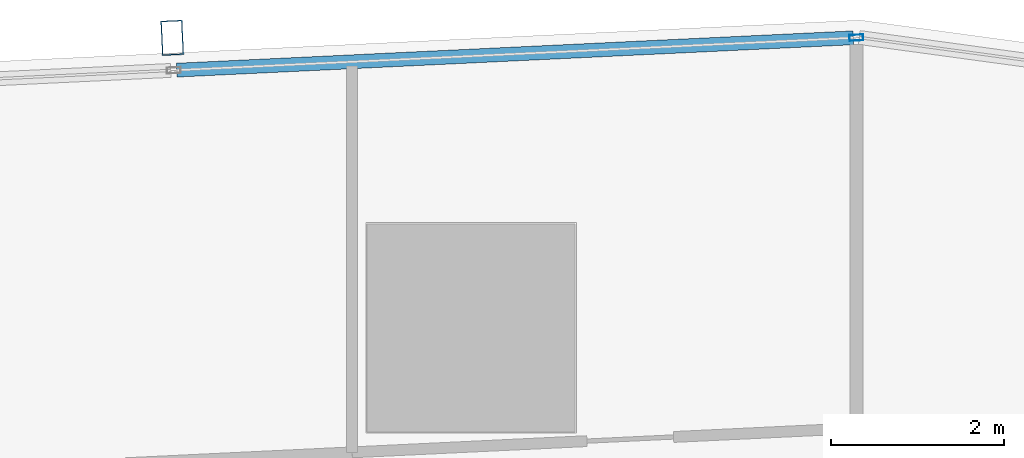
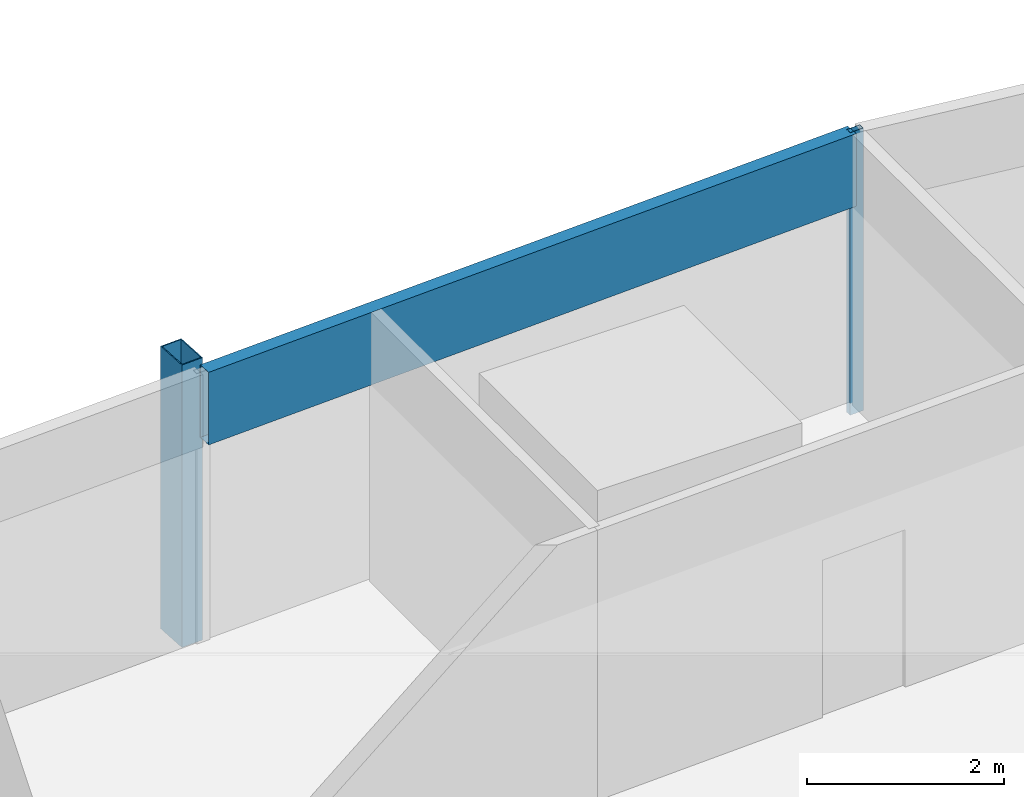
# One storey, part 22 of 37: 3 members, 1 element without a shape of its own.
"""IFC4 building model written with IfcOpenShell, lengths in metres."""

from ifc_helpers import new_model, si_unit, direction, frame, origin, origin_2d, place, context, subcontext, project, spatial, hollow_rectangle, extrude, material, material_profile, profile_set, type_object, element, aggregate, save


model = new_model("IFC4")

# Units and contexts
model_context = context("Model", 3, precision=1e-05, world=origin(), true_north=direction((0.0, 1.0)))
body_context = subcontext(model_context, "Body", "Model", "MODEL_VIEW")
ifc_project = project(units=[si_unit("LENGTHUNIT", "METRE"), si_unit("AREAUNIT", "SQUARE_METRE"), si_unit("VOLUMEUNIT", "CUBIC_METRE"), si_unit("PLANEANGLEUNIT", "RADIAN"), si_unit("MASSUNIT", "GRAM", prefix="KILO")], contexts=[model_context])

# Site, building, storey
site_placement = place(None, origin())
site = spatial("IfcSite", under=ifc_project, at=site_placement, CompositionType="ELEMENT")
building_placement = place(site_placement, origin())
building = spatial("IfcBuilding", under=site, at=building_placement, Name="Rekha Terrace Tower", CompositionType="ELEMENT")
storey_placement = place(building_placement, frame((0.0, 0.0, 232.699951171875)))
storey = spatial("IfcBuildingStorey", under=building, at=storey_placement, Name="L59", CompositionType="ELEMENT", Elevation=232.699951171875)

# Curtain wall, members
ifc_material_1 = material(Name="Aluminium framing", Category="aluminium")
curtain_wall_type = type_object("IfcCurtainWallType", Name="CW3 north unitised glazing", PredefinedType="USERDEFINED", material=ifc_material_1)
curtain_wall_placement = place(storey_placement, origin())
curtain_wall = element("IfcCurtainWall", 1, at=curtain_wall_placement, inside=storey, type_object=curtain_wall_type, Name="CW3 unitised curtain wall", ObjectType="UNITISED CURTAIN WALL", PredefinedType="USERDEFINED")
ifc_material_2 = material(Name="Steel S355 with fluorocarbon finish", Category="steel")
ifc_material_profile_1 = material_profile(ifc_material_2, hollow_rectangle(XDim=0.25, YDim=0.39990234375, WallThickness=0.012451171875, at=origin_2d()), Name="RHS400x250x12.5")
ifc_profile_set_1 = profile_set([ifc_material_profile_1], Name="Steel S355 with fluorocarbon finish")
member_type_1 = type_object("IfcMemberType", Name="BL1 facade blade RHS 400 x 250", PredefinedType="USERDEFINED", material=ifc_profile_set_1)
member_1_placement = place(storey_placement, frame((38.55224609375, 62.145751953125, 0.0), z_axis=(0.0, 0.0, 1.0), x_axis=(-0.998858913274, -0.04775846913, 0.0)))
member_1 = element("IfcMember", 2, at=member_1_placement, type_object=member_type_1, Name="Facade blade", ObjectType="FACADE BLADE", PredefinedType="USERDEFINED", context=body_context, shape_type="SweptSolid", body=[
    extrude(hollow_rectangle(XDim=0.25, YDim=0.39990234375, WallThickness=0.012451171875, at=origin_2d()), origin(), (0.0, 0.0, 1.0), 3.5),
])
ifc_material_3 = material(Name="Aluminium mullion section", Category="aluminium")
ifc_material_profile_2 = material_profile(ifc_material_3, hollow_rectangle(XDim=0.070068359375, YDim=0.159912109375, WallThickness=0.00390625, at=origin_2d()), Name="AL RHS 70x160")
ifc_profile_set_2 = profile_set([ifc_material_profile_2], Name="Aluminium mullion section")
member_type_2 = type_object("IfcMemberType", Name="CW3 mullion RHS 70 x 160", PredefinedType="MULLION", material=ifc_profile_set_2)
member_2_placement = place(storey_placement, frame((46.4443359375, 62.147705078125, 0.0), z_axis=(0.0, 0.0, 1.0), x_axis=(0.047758616983, -0.998858906204, 0.0)))
member_2 = element("IfcMember", 3, at=member_2_placement, type_object=member_type_2, Name="CW3 mullion 1", PredefinedType="MULLION", context=body_context, shape_type="SweptSolid", body=[
    extrude(hollow_rectangle(XDim=0.070068359375, YDim=0.159912109375, WallThickness=0.00390625, at=origin_2d()), origin(), (0.0, 0.0, 1.0), 3.5),
])
ifc_material_4 = material(Name="Insulated aluminium spandrel box", Category="aluminium")
ifc_material_profile_3 = material_profile(ifc_material_4, hollow_rectangle(XDim=0.159912109375, YDim=0.89990234375, WallThickness=0.0029296875, at=origin_2d()), Name="AL SPANDREL BOX 160x900")
ifc_profile_set_3 = profile_set([ifc_material_profile_3], Name="Insulated aluminium spandrel box")
member_type_3 = type_object("IfcMemberType", Name="CW3 spandrel transom 160 x 900", PredefinedType="USERDEFINED", material=ifc_profile_set_3)
member_3_placement = place(storey_placement, frame((46.4091796875, 62.14599609375, 3.050048828125), z_axis=(-0.998859425172, -0.047747761666, 0.0), x_axis=(0.047747761666, -0.998859425172, 0.0)))
member_3 = element("IfcMember", 4, at=member_3_placement, type_object=member_type_3, Name="CW3 spandrel transom 1", ObjectType="TRANSOM", PredefinedType="USERDEFINED", context=body_context, shape_type="SweptSolid", body=[
    extrude(hollow_rectangle(XDim=0.159912109375, YDim=0.89990234375, WallThickness=0.0029296875, at=origin_2d()), origin(), (0.0, 0.0, 1.0), 7.81298828125),
])
aggregate(curtain_wall, [member_2, member_3, member_1])

save(model, "model.ifc")
